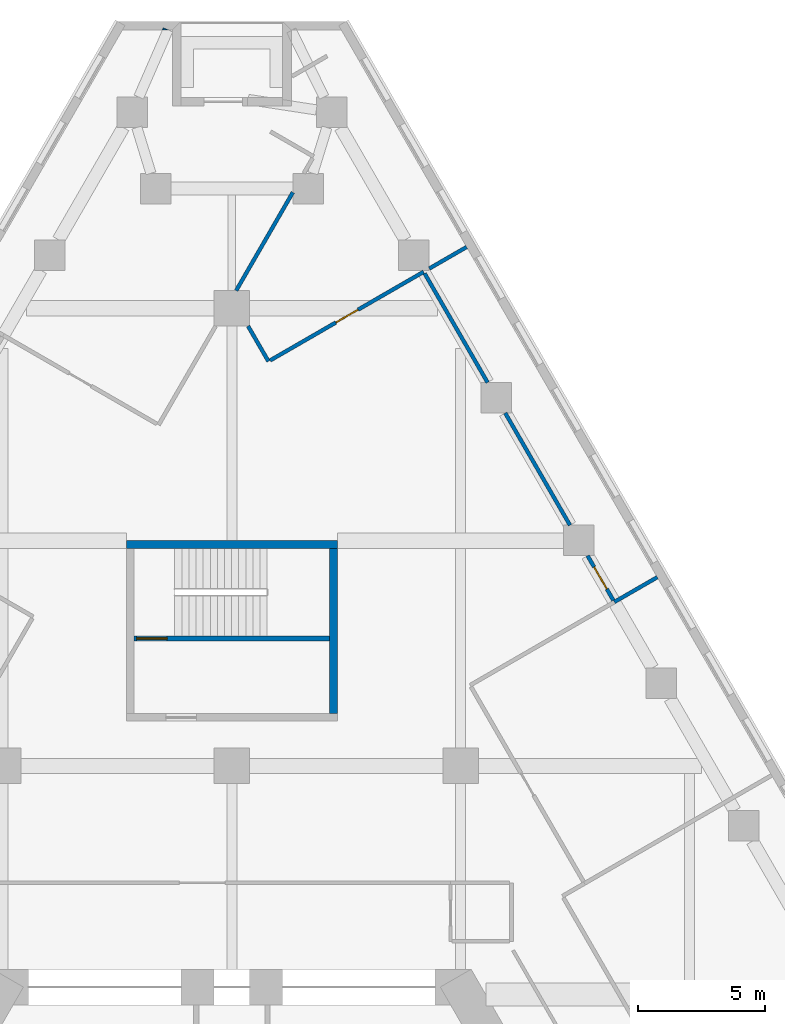
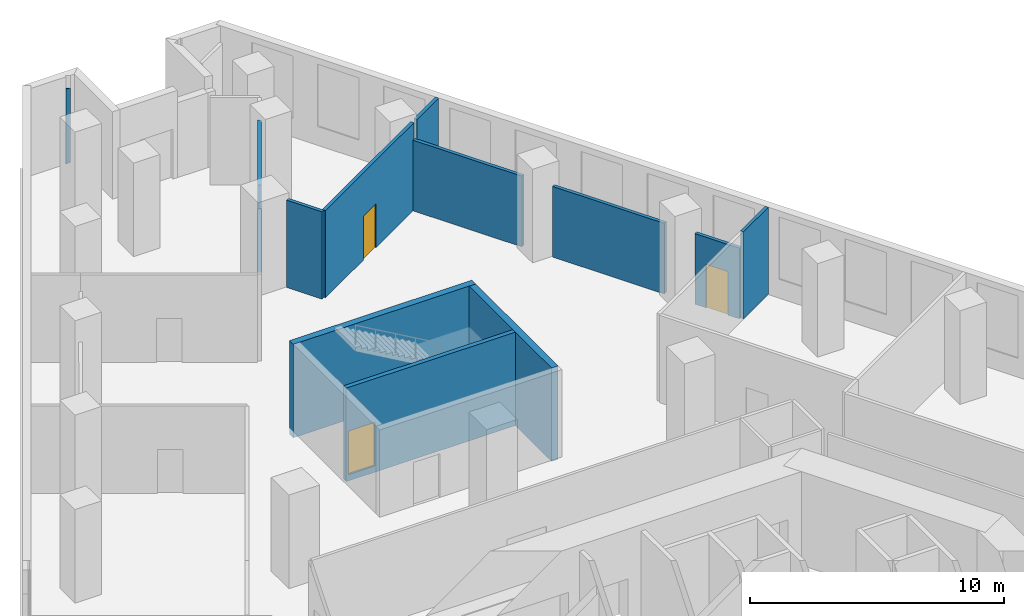
# One storey, part 10 of 14: 12 walls, 3 doors, 3 openings.
"""IFC4 building model written with IfcOpenShell, lengths in metres."""

from ifc_helpers import new_model, si_unit, direction, frame, frame_2d, origin, place, context, subcontext, project, spatial, polyline, rectangle, outline, extrude, material, layer, layer_set, type_object, element, fill, save


model = new_model("IFC4")

# Units and contexts
model_context = context("Model", 3, precision=1e-05, world=origin(), true_north=direction((0.0, 1.0)))
body_context = subcontext(model_context, "Body", "Model", "MODEL_VIEW")
ifc_project = project(units=[si_unit("LENGTHUNIT", "METRE"), si_unit("AREAUNIT", "SQUARE_METRE"), si_unit("VOLUMEUNIT", "CUBIC_METRE"), si_unit("PLANEANGLEUNIT", "RADIAN"), si_unit("MASSUNIT", "GRAM", prefix="KILO")], contexts=[model_context])

# Site, building, storey
site_placement = place(None, origin())
site = spatial("IfcSite", under=ifc_project, at=site_placement, CompositionType="ELEMENT")
building_placement = place(site_placement, origin())
building = spatial("IfcBuilding", under=site, at=building_placement, Name="Fogline Exchange Tower", CompositionType="ELEMENT")
storey_placement = place(building_placement, frame((0.0, 0.0, 29.5)))
storey = spatial("IfcBuildingStorey", under=building, at=storey_placement, Name="L05", CompositionType="ELEMENT", Elevation=29.5)

# Wall, opening, door
ifc_material_1 = material(Name="Concrete C40", Category="concrete")
ifc_layer_1 = layer(ifc_material_1, 0.199951171875)
ifc_layer_set_1 = layer_set([ifc_layer_1], Name="CW20R")
wall_type_1 = type_object("IfcWallType", Name="CW20R", PredefinedType="SOLIDWALL", material=ifc_layer_set_1)
wall_1_placement = place(storey_placement, frame((-3.85009765625, 32.007080078125, -0.300048828125), z_axis=(0.0, 0.0, 1.0), x_axis=(1.0, 0.0, 0.0)))
wall_1 = element("IfcWall", 1, at=wall_1_placement, inside=storey, type_object=wall_type_1, Name="Stair enclosure wall ST3", PredefinedType="SOLIDWALL", context=body_context, shape_type="SweptSolid", body=[
    extrude(rectangle(XDim=7.7001953125, YDim=0.199951171875, at=frame_2d((3.85009765625, 0.0))), origin(), (0.0, 0.0, 1.0), 4.5),
])
opening_1_placement = place(wall_1_placement, frame((0.10009765625, 0.0, 0.300048828125)))
opening_1 = element("IfcOpeningElement", 2, at=opening_1_placement, cuts=wall_1, Name="Opening T01-C023", PredefinedType="OPENING", context=body_context, shape_type="SweptSolid", body=[
    extrude(rectangle(XDim=1.199951171875, YDim=2.10009765625, at=frame_2d((0.60009765625, 1.050048828125))), frame((0.0, 0.10986328125, 0.0), z_axis=(0.0, -1.0, 0.0), x_axis=(1.0, 0.0, 0.0)), (0.0, 0.0, 1.0), 0.219970703125),
])
ifc_material_2 = material(Name="Steel and timber fire door", Category="steel")
door_type_1 = type_object("IfcDoorType", Name="D-ST1", OperationType="SINGLE_SWING_LEFT", PredefinedType="DOOR", material=ifc_material_2)
door_1_placement = place(opening_1_placement, origin())
door_1 = element("IfcDoor", 3, at=door_1_placement, inside=storey, type_object=door_type_1, Name="Stair door ST3", OperationType="SINGLE_SWING_LEFT", OverallHeight=2.10009765625, OverallWidth=1.199951171875, PredefinedType="DOOR", context=body_context, shape_type="SweptSolid", body=[
    extrude(rectangle(XDim=1.199951171875, YDim=2.10009765625, at=frame_2d((0.60009765625, 1.050048828125))), frame((0.0, 0.02490234375, 0.0), z_axis=(0.0, -1.0, 0.0), x_axis=(1.0, 0.0, 0.0)), (0.0, 0.0, 1.0), 0.050048828125),
])
fill(opening_1, door_1)

# Walls
ifc_layer_2 = layer(ifc_material_1, 0.300048828125)
ifc_layer_set_2 = layer_set([ifc_layer_2], Name="CW30")
wall_type_2 = type_object("IfcWallType", Name="CW30", PredefinedType="SOLIDWALL", material=ifc_layer_set_2)
wall_2_placement = place(storey_placement, frame((-4.14990234375, 35.70703125, -0.300048828125), z_axis=(0.0, 0.0, 1.0), x_axis=(1.0, 0.0, 0.0)))
element("IfcWall", 4, at=wall_2_placement, inside=storey, type_object=wall_type_2, Name="Stair enclosure wall ST3", PredefinedType="SOLIDWALL", context=body_context, shape_type="SweptSolid", body=[
    extrude(rectangle(XDim=8.2998046875, YDim=0.300048828125, at=frame_2d((4.14990234375, 0.0))), origin(), (0.0, 0.0, 1.0), 4.5),
])
wall_3_placement = place(storey_placement, frame((4.0, 29.056884765625, -0.300048828125), z_axis=(0.0, 0.0, 1.0), x_axis=(0.0, 1.0, 0.0)))
element("IfcWall", 5, at=wall_3_placement, inside=storey, type_object=wall_type_2, Name="Stair enclosure wall ST3", PredefinedType="SOLIDWALL", context=body_context, shape_type="SweptSolid", body=[
    extrude(rectangle(XDim=6.5, YDim=0.300048828125, at=frame_2d((3.25, 0.0))), origin(), (0.0, 0.0, 1.0), 4.5),
])
ifc_material_3 = material(Name="Brick masonry", Category="masonry")
ifc_layer_3 = layer(ifc_material_3, 0.340087890625)
ifc_layer_set_3 = layer_set([ifc_layer_3], Name="FW1")
wall_type_3 = type_object("IfcWallType", Name="FW1", PredefinedType="SOLIDWALL", material=ifc_layer_set_3)
wall_4_placement = place(storey_placement, origin())
element("IfcWall", 6, at=wall_4_placement, inside=storey, type_object=wall_type_3, Name="Brick wall L05 N-c2", PredefinedType="SOLIDWALL", context=body_context, shape_type="SweptSolid", body=[
    extrude(outline(polyline([(-2.72998046875, 55.951171875), (-2.695068359375, 56.031494140625), (-2.510009765625, 55.951171875), (-2.72998046875, 55.951171875)])), origin(), (0.0, 0.0, 1.0), 3.60009765625),
])
ifc_material_4 = material(Name="Plasterboard demising partition with mineral wool and acoustic board")
ifc_layer_4 = layer(ifc_material_4, 0.14990234375)
ifc_layer_set_4 = layer_set([ifc_layer_4], Name="PW3")
wall_type_4 = type_object("IfcWallType", Name="PW3", PredefinedType="PARTITIONING", material=ifc_layer_set_4)
wall_5_placement = place(storey_placement, frame((15.045654296875, 33.4462890625, 0.0), z_axis=(0.0, 0.0, 1.0), x_axis=(0.866054235095, 0.49995005938, 0.0)))
element("IfcWall", 7, at=wall_5_placement, inside=storey, type_object=wall_type_4, Name="wall-L05-W013", PredefinedType="PARTITIONING", context=body_context, shape_type="SweptSolid", body=[
    extrude(rectangle(XDim=1.949951171875, YDim=0.14990234375, at=frame_2d((0.97509765625, 0.0))), origin(), (0.0, 0.0, 1.0), 4.199951171875),
])
wall_6_placement = place(storey_placement, frame((7.764404296875, 46.56298828125, 0.0), z_axis=(0.0, 0.0, 1.0), x_axis=(0.866039477586, 0.499975622669, 0.0)))
element("IfcWall", 8, at=wall_6_placement, inside=storey, type_object=wall_type_4, Name="wall-L05-W017", PredefinedType="PARTITIONING", context=body_context, shape_type="SweptSolid", body=[
    extrude(rectangle(XDim=1.697265625, YDim=0.14990234375, at=frame_2d((0.8486328125, 0.0))), origin(), (0.0, 0.0, 1.0), 4.199951171875),
])

# Wall, opening, door
wall_7_placement = place(storey_placement, frame((15.008056640625, 33.51123046875, 0.0), z_axis=(0.0, 0.0, 1.0), x_axis=(-0.500048947491, 0.865997142093, 0.0)))
wall_7 = element("IfcWall", 9, at=wall_7_placement, inside=storey, type_object=wall_type_4, Name="wall-L05-W019", PredefinedType="PARTITIONING", context=body_context, shape_type="SweptSolid", body=[
    extrude(rectangle(XDim=2.028076171875, YDim=0.14990234375, at=frame_2d((1.01416015625, 0.0))), origin(), (0.0, 0.0, 1.0), 3.39990234375),
])
opening_2_placement = place(wall_7_placement, frame((0.51416015625, 0.0, 0.0)))
opening_2 = element("IfcOpeningElement", 10, at=opening_2_placement, cuts=wall_7, Name="Opening T01-D007", PredefinedType="OPENING", context=body_context, shape_type="SweptSolid", body=[
    extrude(rectangle(XDim=1.0, YDim=2.10009765625, at=frame_2d((0.5, 1.050048828125))), frame((0.0, 0.0849609375, 0.0), z_axis=(0.0, -1.0, 0.0), x_axis=(1.0, 0.0, 0.0)), (0.0, 0.0, 1.0), 0.169921875),
])
ifc_material_5 = material(Name="Fire-rated timber door leaf with steel frame", Category="steel")
door_type_2 = type_object("IfcDoorType", Name="D3", OperationType="SINGLE_SWING_LEFT", PredefinedType="DOOR", material=ifc_material_5)
door_2_placement = place(opening_2_placement, frame((1.0, 0.0, 0.0), z_axis=(0.0, 0.0, 1.0), x_axis=(-1.0, 0.0, 0.0)))
door_2 = element("IfcDoor", 11, at=door_2_placement, inside=storey, type_object=door_type_2, Name="door-L05-D007", OperationType="SINGLE_SWING_RIGHT", OverallHeight=2.10009765625, OverallWidth=1.0, PredefinedType="DOOR", context=body_context, shape_type="SweptSolid", body=[
    extrude(rectangle(XDim=1.0, YDim=2.10009765625, at=frame_2d((0.5, 1.050048828125))), frame((0.0, 0.02490234375, 0.0), z_axis=(0.0, -1.0, 0.0), x_axis=(1.0, 0.0, 0.0)), (0.0, 0.0, 1.0), 0.050048828125),
])
fill(opening_2, door_2)

# Walls
wall_8_placement = place(storey_placement, frame((13.30126953125, 36.467529296875, 0.0), z_axis=(0.0, 0.0, 1.0), x_axis=(-0.499991921166, 0.866030068051, 0.0)))
element("IfcWall", 12, at=wall_8_placement, inside=storey, type_object=wall_type_4, Name="wall-L05-W020", PredefinedType="PARTITIONING", context=body_context, shape_type="SweptSolid", body=[
    extrude(rectangle(XDim=5.09765625, YDim=0.14990234375, at=frame_2d((2.548828125, 0.0))), origin(), (0.0, 0.0, 1.0), 3.39990234375),
])
wall_9_placement = place(storey_placement, frame((10.0595703125, 42.082275390625, 0.0), z_axis=(0.0, 0.0, 1.0), x_axis=(-0.500019708872, 0.866014024563, 0.0)))
element("IfcWall", 13, at=wall_9_placement, inside=storey, type_object=wall_type_4, Name="wall-L05-W021", PredefinedType="PARTITIONING", context=body_context, shape_type="SweptSolid", body=[
    extrude(rectangle(XDim=4.952880859375, YDim=0.14990234375, at=frame_2d((2.4765625, 0.0))), origin(), (0.0, 0.0, 1.0), 3.39990234375),
])

# Wall, opening, door
wall_10_placement = place(storey_placement, frame((7.545654296875, 46.4365234375, 0.0), z_axis=(0.0, 0.0, 1.0), x_axis=(-0.866037534292, -0.499978988757, 0.0)))
wall_10 = element("IfcWall", 14, at=wall_10_placement, inside=storey, type_object=wall_type_4, Name="wall-L05-W022", PredefinedType="PARTITIONING", context=body_context, shape_type="SweptSolid", body=[
    extrude(rectangle(XDim=6.974853515625, YDim=0.14990234375, at=frame_2d((3.4873046875, 0.0))), origin(), (0.0, 0.0, 1.0), 4.199951171875),
])
opening_3_placement = place(wall_10_placement, frame((2.987548828125, 0.0, 0.0)))
opening_3 = element("IfcOpeningElement", 15, at=opening_3_placement, cuts=wall_10, Name="Opening T01-D008", PredefinedType="OPENING", context=body_context, shape_type="SweptSolid", body=[
    extrude(rectangle(XDim=1.0, YDim=2.10009765625, at=frame_2d((0.5, 1.050048828125))), frame((0.0, 0.0849609375, 0.0), z_axis=(0.0, -1.0, 0.0), x_axis=(1.0, 0.0, 0.0)), (0.0, 0.0, 1.0), 0.169921875),
])
door_3_placement = place(opening_3_placement, frame((1.0, 0.0, 0.0), z_axis=(0.0, 0.0, 1.0), x_axis=(-1.0, 0.0, 0.0)))
door_3 = element("IfcDoor", 16, at=door_3_placement, inside=storey, type_object=door_type_2, Name="door-L05-D008", OperationType="SINGLE_SWING_LEFT", OverallHeight=2.10009765625, OverallWidth=1.0, PredefinedType="DOOR", context=body_context, shape_type="SweptSolid", body=[
    extrude(rectangle(XDim=1.0, YDim=2.10009765625, at=frame_2d((0.5, 1.050048828125))), frame((0.0, 0.02490234375, 0.0), z_axis=(0.0, -1.0, 0.0), x_axis=(1.0, 0.0, 0.0)), (0.0, 0.0, 1.0), 0.050048828125),
])
fill(opening_3, door_3)

# Walls
wall_11_placement = place(storey_placement, frame((1.440185546875, 42.91162109375, 0.0), z_axis=(0.0, 0.0, 1.0), x_axis=(-0.500069551962, 0.865985244216, 0.0)))
element("IfcWall", 17, at=wall_11_placement, inside=storey, type_object=wall_type_4, Name="wall-L05-W023", PredefinedType="PARTITIONING", context=body_context, shape_type="SweptSolid", body=[
    extrude(rectangle(XDim=1.603271484375, YDim=0.14990234375, at=frame_2d((0.8017578125, 0.0))), origin(), (0.0, 0.0, 1.0), 4.199951171875),
])
wall_12_placement = place(storey_placement, frame((0.169921875, 45.699951171875, 0.0), z_axis=(0.0, 0.0, 1.0), x_axis=(0.499965681329, 0.866045216772, 0.0)))
element("IfcWall", 18, at=wall_12_placement, inside=storey, type_object=wall_type_4, Name="wall-L05-W024", PredefinedType="PARTITIONING", context=body_context, shape_type="SweptSolid", body=[
    extrude(rectangle(XDim=4.460205078125, YDim=0.14990234375, at=frame_2d((2.22998046875, 0.0))), origin(), (0.0, 0.0, 1.0), 4.199951171875),
])

save(model, "model.ifc")
